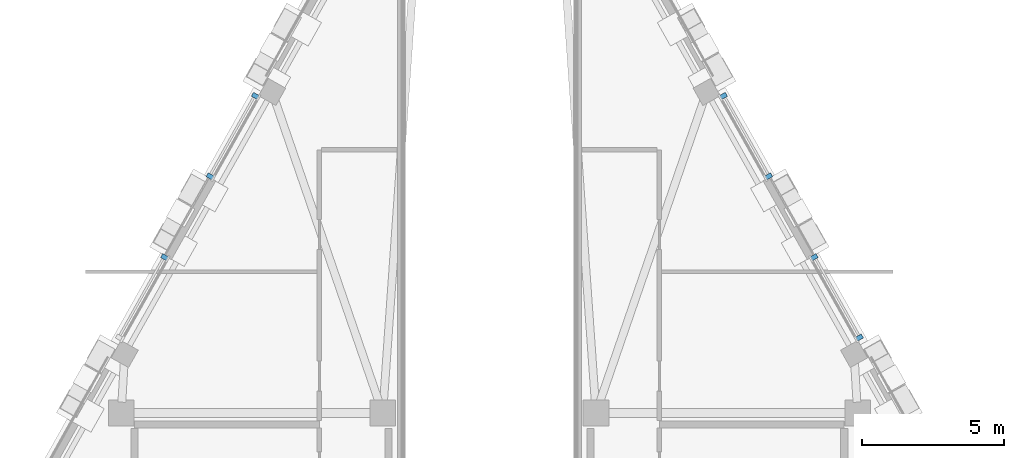
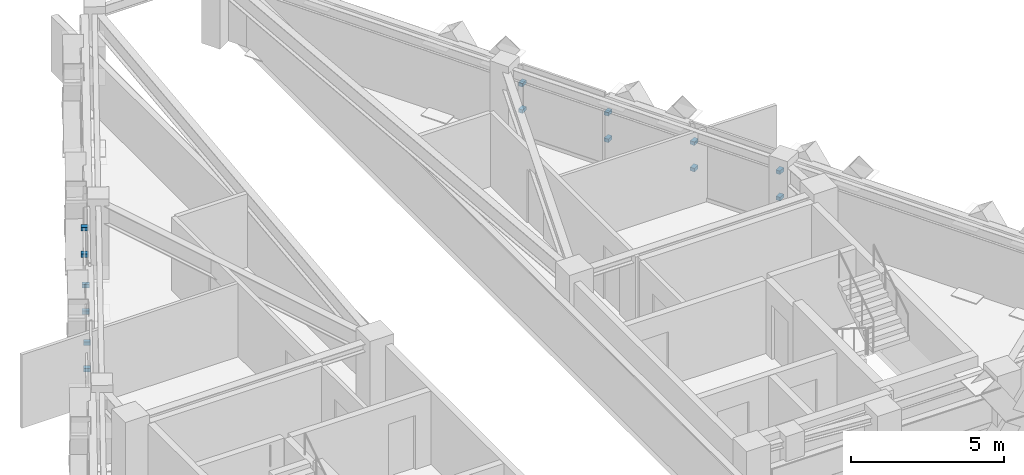
# One storey, part 5 of 7: 14 discrete accessories.
"""IFC4 building model written with IfcOpenShell, lengths in metres."""

import ifcopenshell
import ifcopenshell.guid

model = None  # the IFC model being written
_history = None  # IfcOwnerHistory: only IFC2X3 demands one
_inside = {}  # id of a spatial element -> (the spatial element, [elements in it])
_under = {}  # id of a project, library or spatial element -> (it, [spatial elements below it])
_declared = {}  # id of a project -> (the project, [libraries it declares])
_typed = {}  # id of a type object -> (the type object, [elements of that type])
_made_of = {}  # id of a material, layer set ... -> (it, [elements and type objects made of it])


def new_model(schema):
    """Start an empty IFC model of exactly this schema.

    Asked for "IFC4X3", IfcOpenShell would pick the latest addendum, in which some entities
    have other attributes; the version numbers below select the first issue.
    IFC2X3 requires an IfcOwnerHistory on every rooted entity: one is made here for all.
    """
    global model, _history
    if schema == "IFC4X3":
        model = ifcopenshell.file(schema_version=(4, 3, 0, 0))
    else:
        model = ifcopenshell.file(schema=schema)
    _inside.clear()
    _under.clear()
    _declared.clear()
    _typed.clear()
    _made_of.clear()
    _history = None
    if model.schema == "IFC2X3":
        org = make("IfcOrganization", Name="unknown")
        user = make(
            "IfcPersonAndOrganization",
            ThePerson=make("IfcPerson", FamilyName="unknown"),
            TheOrganization=org,
        )
        app = make(
            "IfcApplication",
            ApplicationDeveloper=org,
            Version="unknown",
            ApplicationFullName="unknown",
            ApplicationIdentifier="unknown",
        )
        _history = make(
            "IfcOwnerHistory",
            OwningUser=user,
            OwningApplication=app,
            ChangeAction="ADDED",
            CreationDate=0,
        )
    return model


def make(cls, **values):
    """One entity of the class cls with the attributes given. An attribute that is None is left unset."""
    return model.create_entity(
        cls, **{name: value for name, value in values.items() if value is not None}
    )


def rooted(cls, **values):
    """An entity with a GlobalId (a new one), such as an element, a storey or a relation."""
    return make(cls, GlobalId=ifcopenshell.guid.new(), OwnerHistory=_history, **values)


def si_unit(unit_type, name, prefix=None):
    """IfcSIUnit, for example si_unit("LENGTHUNIT", "METRE", prefix="MILLI")."""
    return make("IfcSIUnit", UnitType=unit_type, Prefix=prefix, Name=name)


def assignment(units):
    """IfcUnitAssignment: the units of a project."""
    return None if units is None else make("IfcUnitAssignment", Units=units)


def point(xyz):
    """IfcCartesianPoint."""
    return None if xyz is None else make("IfcCartesianPoint", Coordinates=xyz)


def direction(xyz):
    """IfcDirection."""
    return None if xyz is None else make("IfcDirection", DirectionRatios=xyz)


def frame(location, z_axis=None, x_axis=None):
    """IfcAxis2Placement3D, a coordinate frame: its origin and axes. An axis left out is left unset."""
    return make(
        "IfcAxis2Placement3D",
        Location=point(location),
        Axis=direction(z_axis),
        RefDirection=direction(x_axis),
    )


def frame_2d(location, x_axis=None):
    """IfcAxis2Placement2D, a coordinate frame in the plane: its origin and x axis."""
    return make(
        "IfcAxis2Placement2D", Location=point(location), RefDirection=direction(x_axis)
    )


def origin():
    """The frame at (0, 0, 0) with its axes left unset."""
    return frame((0.0, 0.0, 0.0))


def origin_2d():
    """The frame at (0, 0) in the plane with its x axis left unset."""
    return frame_2d((0.0, 0.0))


def place(relative_to, where):
    """IfcLocalPlacement: puts the frame where relative to a parent placement (None: the world)."""
    return make(
        "IfcLocalPlacement", PlacementRelTo=relative_to, RelativePlacement=where
    )


def context(
    kind, dimensions, precision=None, world=None, true_north=None, identifier=None
):
    """IfcGeometricRepresentationContext, for example the 3D "Model" context."""
    return make(
        "IfcGeometricRepresentationContext",
        ContextIdentifier=identifier,
        ContextType=kind,
        CoordinateSpaceDimension=dimensions,
        Precision=precision,
        WorldCoordinateSystem=world,
        TrueNorth=true_north,
    )


def subcontext(parent, identifier, kind, view, scale=None):
    """IfcGeometricRepresentationSubContext, for example "Body" below "Model"."""
    return make(
        "IfcGeometricRepresentationSubContext",
        ContextIdentifier=identifier,
        ContextType=kind,
        ParentContext=parent,
        TargetScale=scale,
        TargetView=view,
    )


def project(units=None, contexts=None):
    """IfcProject with its units and contexts."""
    return rooted(
        "IfcProject",
        Name="project",
        RepresentationContexts=contexts,
        UnitsInContext=assignment(units),
    )


def spatial(cls, under=None, at=None, **own):
    """A site, building, storey or space (cls), placed at a placement, below another one or the project."""
    s = rooted(cls, ObjectPlacement=at, **own)
    if under is not None:
        _under.setdefault(under.id(), (under, []))[1].append(s)
    return s


def profile(cls, at=None, kind="AREA", **sizes):
    """A parametric profile (cls). Its sizes go by their IFC names, for example OverallWidth=200.0."""
    return make(cls, ProfileType=kind, Position=at, **sizes)


def rectangle(**sizes):
    """IfcRectangleProfileDef."""
    return profile("IfcRectangleProfileDef", **sizes)


def extrude(swept, where, along, depth):
    """IfcExtrudedAreaSolid: the profile swept, set in the frame where, extruded along a direction by depth."""
    return make(
        "IfcExtrudedAreaSolid",
        SweptArea=swept,
        Position=where,
        ExtrudedDirection=direction(along),
        Depth=depth,
    )


def shape(context_of_items, identifier, shape_type, items):
    """IfcShapeRepresentation: the items that make up one representation, for example the "Body"."""
    return make(
        "IfcShapeRepresentation",
        ContextOfItems=context_of_items,
        RepresentationIdentifier=identifier,
        RepresentationType=shape_type,
        Items=items,
    )


def material(Name=None, Category=None):
    """IfcMaterial."""
    return make("IfcMaterial", Name=Name, Category=Category)


def made_of(thing, what):
    """Note that an element or type object is made of a material, layer set ...; save() writes the relation."""
    if what is not None:
        _made_of.setdefault(what.id(), (what, []))[1].append(thing)
    return thing


def type_object(cls, material=None, **own):
    """A type object (cls), such as IfcWallType, which elements share."""
    return made_of(rooted(cls, **own), material)


def element(
    cls,
    number,
    at=None,
    inside=None,
    cuts=None,
    type_object=None,
    material=None,
    context=None,
    identifier="Body",
    shape_type=None,
    held_by="IfcProductDefinitionShape",
    body=None,
    shapes=None,
    **own,
):
    """One element of the class cls, such as IfcWall. Its Tag is "e" and its number.

    at: its placement. inside: the storey or other place that contains it. cuts: it is an
    opening in that element (IfcRelVoidsElement). A single representation is given by context,
    identifier, shape_type and body (its items); several are given by shapes. held_by: the class
    of the entity that holds the representations. save() writes the other relations.
    """
    e = rooted(cls, Tag="e%d" % number, ObjectPlacement=at, **own)
    if body is not None:
        shapes = [shape(context, identifier, shape_type, body)]
    if shapes is not None:
        e.Representation = make(held_by, Representations=shapes)
    if inside is not None:
        _inside.setdefault(inside.id(), (inside, []))[1].append(e)
    if cuts is not None:
        rooted(
            "IfcRelVoidsElement", RelatingBuildingElement=cuts, RelatedOpeningElement=e
        )
    if type_object is not None:
        _typed.setdefault(type_object.id(), (type_object, []))[1].append(e)
    return made_of(e, material)


def aggregate(whole, parts):
    """IfcRelAggregates: a whole, such as a stair, and the parts it consists of."""
    return rooted("IfcRelAggregates", RelatingObject=whole, RelatedObjects=parts)


def save(model, path):
    """Write the relations noted so far, then the file.

    IfcRelAggregates (storeys below a building ...), IfcRelContainedInSpatialStructure (elements
    in a storey), IfcRelDefinesByType, IfcRelAssociatesMaterial and IfcRelDeclares: one each for
    every whole, place, type object, material and project.
    """
    for whole, parts in _under.values():
        aggregate(whole, parts)
    for where, things in _inside.values():
        rooted(
            "IfcRelContainedInSpatialStructure",
            RelatedElements=things,
            RelatingStructure=where,
        )
    for kind, things in _typed.values():
        rooted("IfcRelDefinesByType", RelatedObjects=things, RelatingType=kind)
    for what, things in _made_of.values():
        rooted("IfcRelAssociatesMaterial", RelatedObjects=things, RelatingMaterial=what)
    for by, libraries in _declared.values():
        rooted("IfcRelDeclares", RelatingContext=by, RelatedDefinitions=libraries)
    model.write(path)


model = new_model("IFC4")

# Units and contexts
model_context = context("Model", 3, precision=1e-05, world=origin(), true_north=direction((0.0, 1.0)))
body_context = subcontext(model_context, "Body", "Model", "MODEL_VIEW")
ifc_project = project(units=[si_unit("LENGTHUNIT", "METRE"), si_unit("AREAUNIT", "SQUARE_METRE"), si_unit("VOLUMEUNIT", "CUBIC_METRE"), si_unit("PLANEANGLEUNIT", "RADIAN"), si_unit("MASSUNIT", "GRAM", prefix="KILO")], contexts=[model_context])

# Site, building, storey
site_placement = place(None, origin())
site = spatial("IfcSite", under=ifc_project, at=site_placement, CompositionType="ELEMENT")
building_placement = place(site_placement, origin())
building = spatial("IfcBuilding", under=site, at=building_placement, Name="Quenlor Broadcast Tower", CompositionType="ELEMENT")
storey_placement = place(building_placement, frame((0.0, 0.0, 274.10009765625)))
storey = spatial("IfcBuildingStorey", under=building, at=storey_placement, Name="L76", CompositionType="ELEMENT", Elevation=274.10009765625)

# Discrete accessories
ifc_material = material(Name="Aluminium 6063-T6", Category="aluminium")
discrete_accessory_type = type_object("IfcDiscreteAccessoryType", Name="Stainless Mullion Baguette Support Bracket", PredefinedType="BRACKET", material=ifc_material)
for number, where, z_axis, x_axis, name in (
    (1, (8.230712890625, 6.349365234375, 0.98095703125), (0.0, 0.0, 1.0), (0.490268031063, -0.87157171691, 0.0), "L76 Baguette Mullion Bracket 1.1"),
    (2, (9.821533203125, 3.521240234375, 0.98095703125), (0.0, 0.0, 1.0), (0.490268031063, -0.87157171691, 0.0), "L76 Baguette Mullion Bracket 1.2"),
    (3, (8.230712890625, 6.349365234375, 2.0322265625), (0.0, 0.0, 1.0), (0.490268031063, -0.87157171691, 0.0), "L76 Baguette Mullion Bracket 2.1"),
    (4, (9.821533203125, 3.521240234375, 2.0322265625), (0.0, 0.0, 1.0), (0.490268031063, -0.87157171691, 0.0), "L76 Baguette Mullion Bracket 2.2"),
    (5, (11.4208984375, 0.677734375, 0.98095703125), (0.0, 0.0, 1.0), (0.490268031063, -0.87157171691, 0.0), "L76 Baguette Mullion Bracket 1.1"),
    (6, (13.01171875, -2.150146484375, 0.98095703125), (0.0, 0.0, 1.0), (0.490268031063, -0.87157171691, 0.0), "L76 Baguette Mullion Bracket 1.2"),
    (7, (11.4208984375, 0.677734375, 2.0322265625), (0.0, 0.0, 1.0), (0.490268031063, -0.87157171691, 0.0), "L76 Baguette Mullion Bracket 2.1"),
    (8, (13.01171875, -2.150146484375, 2.0322265625), (0.0, 0.0, 1.0), (0.490268031063, -0.87157171691, 0.0), "L76 Baguette Mullion Bracket 2.2"),
    (9, (-11.4208984375, 0.677734375, 0.98095703125), (0.0, 0.0, 1.0), (0.490268031063, 0.87157171691, 0.0), "L76 Baguette Mullion Bracket 1.2"),
    (10, (-11.4208984375, 0.677734375, 2.0322265625), (0.0, 0.0, 1.0), (0.490268031063, 0.87157171691, 0.0), "L76 Baguette Mullion Bracket 2.2"),
    (11, (-9.821533203125, 3.521240234375, 0.98095703125), (0.0, 0.0, 1.0), (0.490268031063, 0.87157171691, 0.0), "L76 Baguette Mullion Bracket 1.1"),
    (12, (-8.230712890625, 6.349365234375, 0.98095703125), (0.0, 0.0, 1.0), (0.490268031063, 0.87157171691, 0.0), "L76 Baguette Mullion Bracket 1.2"),
    (13, (-9.821533203125, 3.521240234375, 2.0322265625), (0.0, 0.0, 1.0), (0.490268031063, 0.87157171691, 0.0), "L76 Baguette Mullion Bracket 2.1"),
    (14, (-8.230712890625, 6.349365234375, 2.0322265625), (0.0, 0.0, 1.0), (0.490268031063, 0.87157171691, 0.0), "L76 Baguette Mullion Bracket 2.2"),
):
    element("IfcDiscreteAccessory", number, at=place(storey_placement, frame(where, z_axis=z_axis, x_axis=x_axis)), inside=storey, type_object=discrete_accessory_type, Name=name, PredefinedType="BRACKET", context=body_context, shape_type="SweptSolid", body=[
        extrude(rectangle(XDim=0.159912109375, YDim=0.239990234375, at=origin_2d()), origin(), (0.0, 0.0, 1.0), 0.139892578125),
    ])

save(model, "model.ifc")
